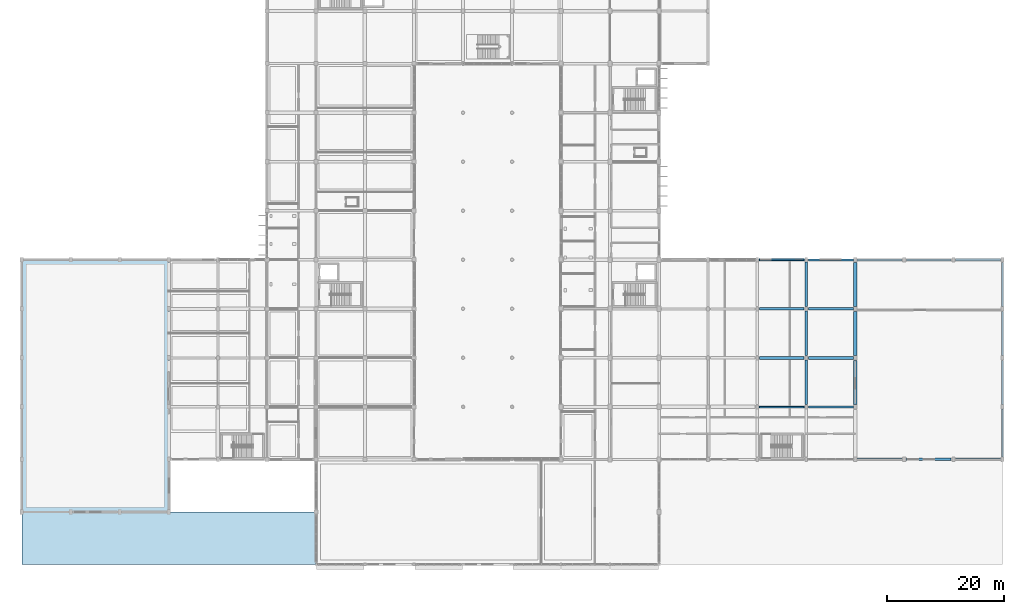
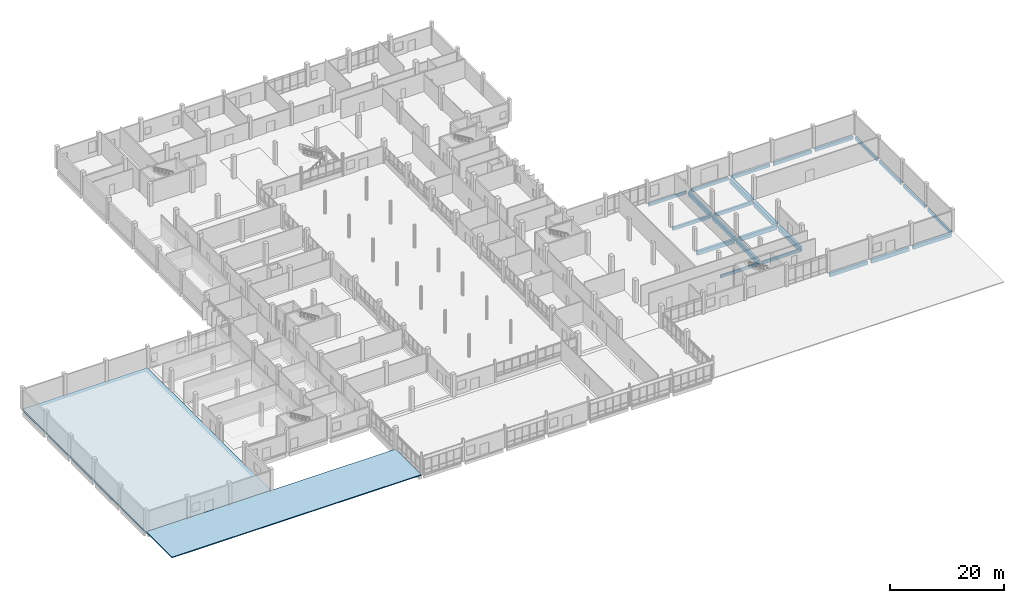
# One storey, part 61 of 95: 24 beams, 2 slabs.
"""IFC4 building model written with IfcOpenShell, lengths in metres."""

from ifc_helpers import new_model, si_unit, direction, frame, origin, origin_2d, place, context, subcontext, project, spatial, polyline, rectangle, outline, extrude, material, layer, layer_set, material_profile, profile_set, type_object, element, save


model = new_model("IFC4")

# Units and contexts
model_context = context("Model", 3, precision=1e-05, world=origin(), true_north=direction((0.0, 1.0)))
body_context = subcontext(model_context, "Body", "Model", "MODEL_VIEW")
ifc_project = project(units=[si_unit("LENGTHUNIT", "METRE"), si_unit("AREAUNIT", "SQUARE_METRE"), si_unit("VOLUMEUNIT", "CUBIC_METRE"), si_unit("PLANEANGLEUNIT", "RADIAN"), si_unit("MASSUNIT", "GRAM", prefix="KILO")], contexts=[model_context])

# Site, building, storey
site_placement = place(None, origin())
site = spatial("IfcSite", under=ifc_project, at=site_placement, CompositionType="ELEMENT")
building_placement = place(site_placement, origin())
building = spatial("IfcBuilding", under=site, at=building_placement, Name="Vireocrest Preparatory School", CompositionType="ELEMENT")
storey_placement = place(building_placement, origin())
storey = spatial("IfcBuildingStorey", under=building, at=storey_placement, Name="L00", CompositionType="ELEMENT", Elevation=0.0)

# Beams
ifc_material = material(Name="Concrete 40 MPa", Category="concrete")
ifc_material_profile_1 = material_profile(ifc_material, rectangle(XDim=0.5, YDim=0.949951171875, at=origin_2d()), Name="RC 500x950")
ifc_profile_set_1 = profile_set([ifc_material_profile_1], Name="Concrete 40 MPa")
beam_type_1 = type_object("IfcBeamType", Name="RC Basement Ceiling Girder 500x950", PredefinedType="BEAM", material=ifc_profile_set_1)
beam_1_placement = place(storey_placement, frame((134.39990234375, 44.175048828125, -0.824951171875), z_axis=(0.0, 1.0, 0.0), x_axis=(-1.0, 0.0, 0.0)))
element("IfcBeam", 1, at=beam_1_placement, inside=storey, type_object=beam_type_1, Name="Primary Girder B16 L00-0243", PredefinedType="BEAM", context=body_context, shape_type="SweptSolid", body=[
    extrude(rectangle(XDim=0.5, YDim=0.949951171875, at=origin_2d()), origin(), (0.0, 0.0, 1.0), 7.64990234375),
])
ifc_material_profile_2 = material_profile(ifc_material, rectangle(XDim=0.300048828125, YDim=0.60009765625, at=origin_2d()), Name="RC 300x600")
ifc_profile_set_2 = profile_set([ifc_material_profile_2], Name="Concrete 40 MPa")
beam_type_2 = type_object("IfcBeamType", Name="RC Classroom Beam 300x600", PredefinedType="BEAM", material=ifc_profile_set_2)
for number, where, z_axis, x_axis, name in (
    (2, (126.375, 27.0, -0.64990234375), (1.0, 0.0, 0.0), (0.0, 1.0, 0.0), "Primary Girder B03 L00-0037"),
    (3, (126.375, 52.199951171875, -0.64990234375), (1.0, 0.0, 0.0), (0.0, 1.0, 0.0), "Primary Girder B03 L00-0073"),
):
    element("IfcBeam", number, at=place(storey_placement, frame(where, z_axis=z_axis, x_axis=x_axis)), inside=storey, type_object=beam_type_2, Name=name, PredefinedType="BEAM", context=body_context, shape_type="SweptSolid", body=[
        extrude(rectangle(XDim=0.300048828125, YDim=0.60009765625, at=origin_2d()), origin(), (0.0, 0.0, 1.0), 7.64990234375),
    ])
beam_2_placement = place(storey_placement, frame((168.0, 18.425048828125, -0.679931640625), z_axis=(0.0, 1.0, 0.0), x_axis=(-1.0, 0.0, 0.0)))
element("IfcBeam", 4, at=beam_2_placement, inside=storey, type_object=beam_type_2, Name="Primary Girder B03 L00-0248", PredefinedType="BEAM", context=body_context, shape_type="SweptSolid", body=[
    extrude(rectangle(XDim=0.300048828125, YDim=0.60009765625, at=origin_2d()), origin(), (0.0, 0.0, 1.0), 8.14990234375),
])
ifc_material_profile_3 = material_profile(ifc_material, rectangle(XDim=0.35009765625, YDim=0.60009765625, at=origin_2d()), Name="RC 350x600")
ifc_profile_set_3 = profile_set([ifc_material_profile_3], Name="Concrete 40 MPa")
beam_type_3 = type_object("IfcBeamType", Name="RC Classroom Girder 350x600", PredefinedType="BEAM", material=ifc_profile_set_3)
for number, where, z_axis, x_axis, name in (
    (5, (134.77490234375, 27.0, -0.64990234375), (1.0, 0.0, 0.0), (0.0, 1.0, 0.0), "Primary Girder B04 L00-0038"),
    (6, (134.77490234375, 52.199951171875, -0.64990234375), (1.0, 0.0, 0.0), (0.0, 1.0, 0.0), "Primary Girder B04 L00-0074"),
):
    element("IfcBeam", number, at=place(storey_placement, frame(where, z_axis=z_axis, x_axis=x_axis)), inside=storey, type_object=beam_type_3, Name=name, PredefinedType="BEAM", context=body_context, shape_type="SweptSolid", body=[
        extrude(rectangle(XDim=0.35009765625, YDim=0.60009765625, at=origin_2d()), origin(), (0.0, 0.0, 1.0), 7.7001953125),
    ])
beam_3_placement = place(storey_placement, frame((168.0, 27.425048828125, -0.679931640625), z_axis=(0.0, 1.0, 0.0), x_axis=(-1.0, 0.0, 0.0)))
element("IfcBeam", 7, at=beam_3_placement, inside=storey, type_object=beam_type_3, Name="Primary Girder B04 L00-0249", PredefinedType="BEAM", context=body_context, shape_type="SweptSolid", body=[
    extrude(rectangle(XDim=0.35009765625, YDim=0.60009765625, at=origin_2d()), origin(), (0.0, 0.0, 1.0), 7.550048828125),
])
ifc_material_profile_4 = material_profile(ifc_material, rectangle(XDim=0.35009765625, YDim=0.64990234375, at=origin_2d()), Name="RC 350x650")
ifc_profile_set_4 = profile_set([ifc_material_profile_4], Name="Concrete 40 MPa")
beam_type_4 = type_object("IfcBeamType", Name="RC Classroom Girder 350x650", PredefinedType="BEAM", material=ifc_profile_set_4)
beam_4_placement = place(storey_placement, frame((143.125, 52.199951171875, -0.705078125), z_axis=(1.0, 0.0, 0.0), x_axis=(0.0, 1.0, 0.0)))
element("IfcBeam", 8, at=beam_4_placement, inside=storey, type_object=beam_type_4, Name="Primary Girder B05 L00-0075", PredefinedType="BEAM", context=body_context, shape_type="SweptSolid", body=[
    extrude(rectangle(XDim=0.35009765625, YDim=0.64990234375, at=origin_2d()), origin(), (0.0, 0.0, 1.0), 7.699951171875),
])
beam_5_placement = place(storey_placement, frame((168.0, 35.824951171875, -0.705078125), z_axis=(0.0, 1.0, 0.0), x_axis=(-1.0, 0.0, 0.0)))
element("IfcBeam", 9, at=beam_5_placement, inside=storey, type_object=beam_type_4, Name="Primary Girder B05 L00-0250", PredefinedType="BEAM", context=body_context, shape_type="SweptSolid", body=[
    extrude(rectangle(XDim=0.35009765625, YDim=0.64990234375, at=origin_2d()), origin(), (0.0, 0.0, 1.0), 7.550048828125),
])
ifc_material_profile_5 = material_profile(ifc_material, rectangle(XDim=0.39990234375, YDim=0.75, at=origin_2d()), Name="RC 400x750")
ifc_profile_set_5 = profile_set([ifc_material_profile_5], Name="Concrete 40 MPa")
beam_type_5 = type_object("IfcBeamType", Name="RC Commons Girder 400x750", PredefinedType="BEAM", material=ifc_profile_set_5)
beam_6_placement = place(storey_placement, frame((143.125, 18.0, -0.7548828125), z_axis=(1.0, 0.0, 0.0), x_axis=(0.0, 1.0, 0.0)))
element("IfcBeam", 10, at=beam_6_placement, inside=storey, type_object=beam_type_5, Name="Primary Girder B09 L00-0025", PredefinedType="BEAM", context=body_context, shape_type="SweptSolid", body=[
    extrude(rectangle(XDim=0.39990234375, YDim=0.75, at=origin_2d()), origin(), (0.0, 0.0, 1.0), 7.699951171875),
])
ifc_material_profile_6 = material_profile(ifc_material, rectangle(XDim=0.550048828125, YDim=1.0, at=origin_2d()), Name="RC 550x1000")
ifc_profile_set_6 = profile_set([ifc_material_profile_6], Name="Concrete 40 MPa")
beam_type_6 = type_object("IfcBeamType", Name="RC Core Coupling Beam 550x1000", PredefinedType="BEAM", material=ifc_profile_set_6)
beam_7_placement = place(storey_placement, frame((142.800048828125, 27.425048828125, -0.8798828125), z_axis=(0.0, 1.0, 0.0), x_axis=(-1.0, 0.0, 0.0)))
element("IfcBeam", 11, at=beam_7_placement, inside=storey, type_object=beam_type_6, Name="Primary Girder B18 L00-0245", PredefinedType="BEAM", context=body_context, shape_type="SweptSolid", body=[
    extrude(rectangle(XDim=0.550048828125, YDim=1.0, at=origin_2d()), origin(), (0.0, 0.0, 1.0), 7.550048828125),
])
ifc_material_profile_7 = material_profile(ifc_material, rectangle(XDim=0.39990234375, YDim=0.699951171875, at=origin_2d()), Name="RC 400x700")
ifc_profile_set_7 = profile_set([ifc_material_profile_7], Name="Concrete 40 MPa")
beam_type_7 = type_object("IfcBeamType", Name="RC Corridor Girder 400x700", PredefinedType="BEAM", material=ifc_profile_set_7)
beam_8_placement = place(storey_placement, frame((134.77490234375, 43.800048828125, -0.699951171875), z_axis=(1.0, 0.0, 0.0), x_axis=(0.0, 1.0, 0.0)))
element("IfcBeam", 12, at=beam_8_placement, inside=storey, type_object=beam_type_7, Name="Primary Girder B08 L00-0060", PredefinedType="BEAM", context=body_context, shape_type="SweptSolid", body=[
    extrude(rectangle(XDim=0.39990234375, YDim=0.699951171875, at=origin_2d()), origin(), (0.0, 0.0, 1.0), 7.7001953125),
])
ifc_material_profile_8 = material_profile(ifc_material, rectangle(XDim=0.60009765625, YDim=1.14990234375, at=origin_2d()), Name="RC 600x1150")
ifc_profile_set_8 = profile_set([ifc_material_profile_8], Name="Concrete 40 MPa")
beam_type_8 = type_object("IfcBeamType", Name="RC Heavy Transfer Girder 600x1150", PredefinedType="BEAM", material=ifc_profile_set_8)
beam_9_placement = place(storey_placement, frame((142.800048828125, 44.22509765625, -0.955078125), z_axis=(0.0, 1.0, 0.0), x_axis=(-1.0, 0.0, 0.0)))
element("IfcBeam", 13, at=beam_9_placement, inside=storey, type_object=beam_type_8, Name="Primary Girder B20 L00-0247", PredefinedType="BEAM", context=body_context, shape_type="SweptSolid", body=[
    extrude(rectangle(XDim=0.60009765625, YDim=1.14990234375, at=origin_2d()), origin(), (0.0, 0.0, 1.0), 7.5498046875),
])
ifc_material_profile_9 = material_profile(ifc_material, rectangle(XDim=0.35009765625, YDim=0.699951171875, at=origin_2d()), Name="RC 350x700")
ifc_profile_set_9 = profile_set([ifc_material_profile_9], Name="Concrete 40 MPa")
beam_type_9 = type_object("IfcBeamType", Name="RC Laboratory Girder 350x700", PredefinedType="BEAM", material=ifc_profile_set_9)
beam_10_placement = place(storey_placement, frame((151.574951171875, 52.199951171875, -0.72998046875), z_axis=(1.0, 0.0, 0.0), x_axis=(0.0, 1.0, 0.0)))
element("IfcBeam", 14, at=beam_10_placement, inside=storey, type_object=beam_type_9, Name="Primary Girder B06 L00-0076", PredefinedType="BEAM", context=body_context, shape_type="SweptSolid", body=[
    extrude(rectangle(XDim=0.35009765625, YDim=0.699951171875, at=origin_2d()), origin(), (0.0, 0.0, 1.0), 7.650146484375),
])
beam_11_placement = place(storey_placement, frame((168.0, 44.22509765625, -0.72998046875), z_axis=(0.0, 1.0, 0.0), x_axis=(-1.0, 0.0, 0.0)))
element("IfcBeam", 15, at=beam_11_placement, inside=storey, type_object=beam_type_9, Name="Primary Girder B06 L00-0251", PredefinedType="BEAM", context=body_context, shape_type="SweptSolid", body=[
    extrude(rectangle(XDim=0.35009765625, YDim=0.699951171875, at=origin_2d()), origin(), (0.0, 0.0, 1.0), 7.5498046875),
])
ifc_material_profile_10 = material_profile(ifc_material, rectangle(XDim=0.39990234375, YDim=0.64990234375, at=origin_2d()), Name="RC 400x650")
ifc_profile_set_10 = profile_set([ifc_material_profile_10], Name="Concrete 40 MPa")
beam_type_10 = type_object("IfcBeamType", Name="RC Laboratory Girder 400x650", PredefinedType="BEAM", material=ifc_profile_set_10)
beam_12_placement = place(storey_placement, frame((126.375, 43.800048828125, -0.675048828125), z_axis=(1.0, 0.0, 0.0), x_axis=(0.0, 1.0, 0.0)))
element("IfcBeam", 16, at=beam_12_placement, inside=storey, type_object=beam_type_10, Name="Primary Girder B07 L00-0059", PredefinedType="BEAM", context=body_context, shape_type="SweptSolid", body=[
    extrude(rectangle(XDim=0.39990234375, YDim=0.64990234375, at=origin_2d()), origin(), (0.0, 0.0, 1.0), 7.64990234375),
])
beam_13_placement = place(storey_placement, frame((159.97509765625, 52.199951171875, -0.705078125), z_axis=(1.0, 0.0, 0.0), x_axis=(0.0, 1.0, 0.0)))
element("IfcBeam", 17, at=beam_13_placement, inside=storey, type_object=beam_type_10, Name="Primary Girder B07 L00-0077", PredefinedType="BEAM", context=body_context, shape_type="SweptSolid", body=[
    extrude(rectangle(XDim=0.39990234375, YDim=0.64990234375, at=origin_2d()), origin(), (0.0, 0.0, 1.0), 7.699951171875),
])
ifc_material_profile_11 = material_profile(ifc_material, rectangle(XDim=0.39990234375, YDim=0.800048828125, at=origin_2d()), Name="RC 400x800")
ifc_profile_set_11 = profile_set([ifc_material_profile_11], Name="Concrete 40 MPa")
beam_type_11 = type_object("IfcBeamType", Name="RC Library Reading Girder 400x800", PredefinedType="BEAM", material=ifc_profile_set_11)
beam_14_placement = place(storey_placement, frame((151.574951171875, 18.0, -0.780029296875), z_axis=(1.0, 0.0, 0.0), x_axis=(0.0, 1.0, 0.0)))
element("IfcBeam", 18, at=beam_14_placement, inside=storey, type_object=beam_type_11, Name="Primary Girder B10 L00-0026", PredefinedType="BEAM", context=body_context, shape_type="SweptSolid", body=[
    extrude(rectangle(XDim=0.39990234375, YDim=0.800048828125, at=origin_2d()), origin(), (0.0, 0.0, 1.0), 7.650146484375),
])
ifc_material_profile_12 = material_profile(ifc_material, rectangle(XDim=0.449951171875, YDim=0.75, at=origin_2d()), Name="RC 450x750")
ifc_profile_set_12 = profile_set([ifc_material_profile_12], Name="Concrete 40 MPa")
beam_type_12 = type_object("IfcBeamType", Name="RC Library Stack Girder 450x750", PredefinedType="BEAM", material=ifc_profile_set_12)
beam_15_placement = place(storey_placement, frame((159.97509765625, 18.0, -0.7548828125), z_axis=(1.0, 0.0, 0.0), x_axis=(0.0, 1.0, 0.0)))
element("IfcBeam", 19, at=beam_15_placement, inside=storey, type_object=beam_type_12, Name="Primary Girder B11 L00-0027", PredefinedType="BEAM", context=body_context, shape_type="SweptSolid", body=[
    extrude(rectangle(XDim=0.449951171875, YDim=0.75, at=origin_2d()), origin(), (0.0, 0.0, 1.0), 7.699951171875),
])
ifc_material_profile_13 = material_profile(ifc_material, rectangle(XDim=0.5, YDim=0.85009765625, at=origin_2d()), Name="RC 500x850")
ifc_profile_set_13 = profile_set([ifc_material_profile_13], Name="Concrete 40 MPa")
beam_type_13 = type_object("IfcBeamType", Name="RC Podium Girder 500x850", PredefinedType="BEAM", material=ifc_profile_set_13)
for number, where, z_axis, x_axis, name in (
    (20, (126.375, 35.39990234375, -0.77490234375), (1.0, 0.0, 0.0), (0.0, 1.0, 0.0), "Primary Girder B14 L00-0048"),
    (21, (134.39990234375, 27.375, -0.77490234375), (0.0, 1.0, 0.0), (-1.0, 0.0, 0.0), "Primary Girder B14 L00-0241"),
):
    element("IfcBeam", number, at=place(storey_placement, frame(where, z_axis=z_axis, x_axis=x_axis)), inside=storey, type_object=beam_type_13, Name=name, PredefinedType="BEAM", context=body_context, shape_type="SweptSolid", body=[
        extrude(rectangle(XDim=0.5, YDim=0.85009765625, at=origin_2d()), origin(), (0.0, 0.0, 1.0), 7.64990234375),
    ])
ifc_material_profile_14 = material_profile(ifc_material, rectangle(XDim=0.5, YDim=0.89990234375, at=origin_2d()), Name="RC 500x900")
ifc_profile_set_14 = profile_set([ifc_material_profile_14], Name="Concrete 40 MPa")
beam_type_14 = type_object("IfcBeamType", Name="RC Podium Girder 500x900", PredefinedType="BEAM", material=ifc_profile_set_14)
beam_16_placement = place(storey_placement, frame((134.77490234375, 35.39990234375, -0.800048828125), z_axis=(1.0, 0.0, 0.0), x_axis=(0.0, 1.0, 0.0)))
element("IfcBeam", 22, at=beam_16_placement, inside=storey, type_object=beam_type_14, Name="Primary Girder B15 L00-0049", PredefinedType="BEAM", context=body_context, shape_type="SweptSolid", body=[
    extrude(rectangle(XDim=0.5, YDim=0.89990234375, at=origin_2d()), origin(), (0.0, 0.0, 1.0), 7.7001953125),
])
beam_17_placement = place(storey_placement, frame((134.39990234375, 35.77490234375, -0.800048828125), z_axis=(0.0, 1.0, 0.0), x_axis=(-1.0, 0.0, 0.0)))
element("IfcBeam", 23, at=beam_17_placement, inside=storey, type_object=beam_type_14, Name="Primary Girder B15 L00-0242", PredefinedType="BEAM", context=body_context, shape_type="SweptSolid", body=[
    extrude(rectangle(XDim=0.5, YDim=0.89990234375, at=origin_2d()), origin(), (0.0, 0.0, 1.0), 7.650146484375),
])
ifc_material_profile_15 = material_profile(ifc_material, rectangle(XDim=0.60009765625, YDim=1.050048828125, at=origin_2d()), Name="RC 600x1050")
ifc_profile_set_15 = profile_set([ifc_material_profile_15], Name="Concrete 40 MPa")
beam_type_15 = type_object("IfcBeamType", Name="RC Transfer Girder 600x1050", PredefinedType="BEAM", material=ifc_profile_set_15)
beam_18_placement = place(storey_placement, frame((142.800048828125, 35.824951171875, -0.905029296875), z_axis=(0.0, 1.0, 0.0), x_axis=(-1.0, 0.0, 0.0)))
element("IfcBeam", 24, at=beam_18_placement, inside=storey, type_object=beam_type_15, Name="Primary Girder B19 L00-0246", PredefinedType="BEAM", context=body_context, shape_type="SweptSolid", body=[
    extrude(rectangle(XDim=0.60009765625, YDim=1.050048828125, at=origin_2d()), origin(), (0.0, 0.0, 1.0), 7.550048828125),
])

# Slabs
ifc_layer_1 = layer(ifc_material, 0.199951171875)
ifc_layer_set_1 = layer_set([ifc_layer_1], Name="Concrete 40 MPa")
slab_type_1 = type_object("IfcSlabType", Name="Outdoor Courtyard Permeable Concrete Paving Slab 200", PredefinedType="BASESLAB", material=ifc_layer_set_1)
slab_1_placement = place(storey_placement, frame((0.0, 0.0, -0.199951171875)))
element("IfcSlab", 25, at=slab_1_placement, inside=storey, type_object=slab_type_1, Name="Slab L00_SOUTH_PLAY_W", PredefinedType="BASESLAB", context=body_context, shape_type="SweptSolid", body=[
    extrude(outline(polyline([(0.0, 0.0), (50.39990234375, 0.0), (50.39990234375, 9.0), (0.0, 9.0), (0.0, 0.0)])), origin(), (0.0, 0.0, 1.0), 0.199951171875),
])
ifc_layer_2 = layer(ifc_material, 0.3798828125)
ifc_layer_set_2 = layer_set([ifc_layer_2], Name="Concrete 40 MPa")
slab_type_2 = type_object("IfcSlabType", Name="Sports and Assembly Hall Ground RC Slab 380", PredefinedType="BASESLAB", material=ifc_layer_set_2)
slab_2_placement = place(storey_placement, frame((0.0, 0.0, -0.3798828125)))
element("IfcSlab", 26, at=slab_2_placement, inside=storey, type_object=slab_type_2, Name="Slab L00_SPORTS_HALL", PredefinedType="BASESLAB", context=body_context, shape_type="SweptSolid", body=[
    extrude(outline(polyline([(0.0, 9.0), (25.199951171875, 9.0), (25.199951171875, 52.199951171875), (0.0, 52.199951171875), (0.0, 9.0)])), origin(), (0.0, 0.0, 1.0), 0.3798828125),
])

save(model, "model.ifc")
